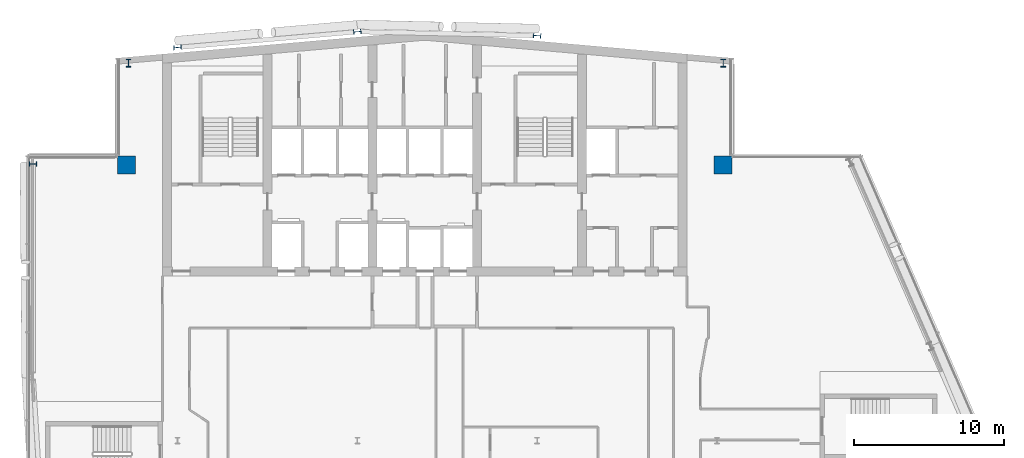
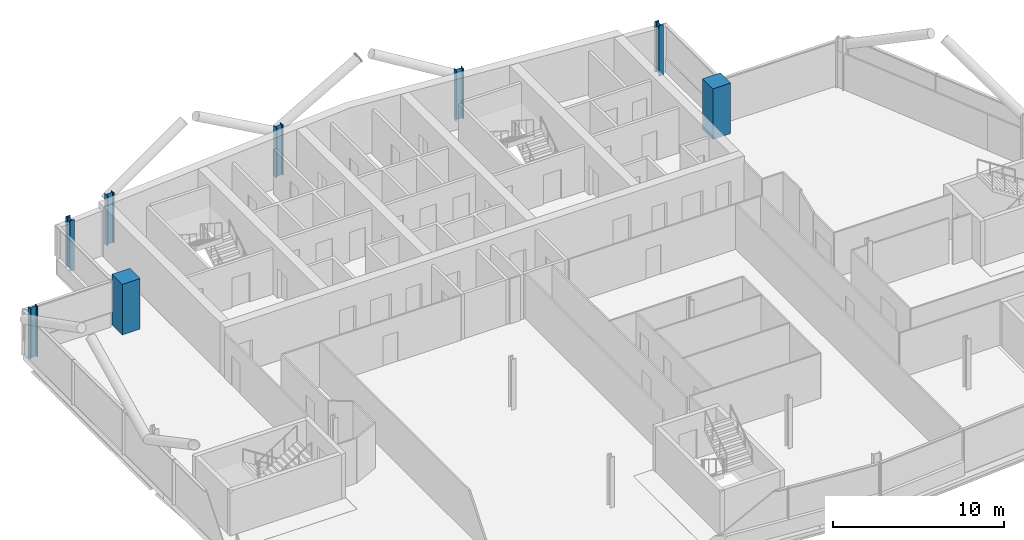
# One storey, part 3 of 25: 8 columns.
"""IFC4 building model written with IfcOpenShell, lengths in metres."""

from ifc_helpers import new_model, si_unit, direction, frame, origin, origin_2d, place, context, subcontext, project, spatial, rectangle, i_section, extrude, material, material_profile, profile_set, type_object, element, save


model = new_model("IFC4")

# Units and contexts
model_context = context("Model", 3, precision=1e-05, world=origin(), true_north=direction((0.0, 1.0)))
body_context = subcontext(model_context, "Body", "Model", "MODEL_VIEW")
ifc_project = project(units=[si_unit("LENGTHUNIT", "METRE"), si_unit("AREAUNIT", "SQUARE_METRE"), si_unit("VOLUMEUNIT", "CUBIC_METRE"), si_unit("PLANEANGLEUNIT", "RADIAN"), si_unit("MASSUNIT", "GRAM", prefix="KILO")], contexts=[model_context])

# Site, building, storey
site_placement = place(None, origin())
site = spatial("IfcSite", under=ifc_project, at=site_placement, CompositionType="ELEMENT")
building_placement = place(site_placement, origin())
building = spatial("IfcBuilding", under=site, at=building_placement, Name="Wharfspan Tower", CompositionType="ELEMENT")
storey_placement = place(building_placement, frame((0.0, 0.0, 239.5)))
storey = spatial("IfcBuildingStorey", under=building, at=storey_placement, Name="L60", CompositionType="ELEMENT", Elevation=239.5)

# Columns
ifc_material_1 = material(Name="Steel S355J2", Category="steel")
ifc_material_profile_1 = material_profile(ifc_material_1, i_section(OverallWidth=0.300049, OverallDepth=0.5, WebThickness=0.014404, FlangeThickness=0.028076, FilletRadius=0.0271, at=origin_2d()))
ifc_profile_set_1 = profile_set([ifc_material_profile_1], Name="Steel S355J2")
column_type_1 = type_object("IfcColumnType", Name="Column HEB 500", PredefinedType="COLUMN", material=ifc_profile_set_1)
for number, where, z_axis, x_axis, name in (
    (1, (24.0, 49.234863, 0.0), (0.0, 0.0, 1.0), (-0.087156, 0.996197, 0.0), "Rear column R.1 L60"),
    (2, (36.0, 50.284668, 0.0), (0.0, 0.0, 1.0), (-0.087156, 0.996197, 0.0), "Rear column R.2 L60"),
    (3, (48.0, 50.022217, 0.0), (0.0, 0.0, 1.0), (0.087156, 0.996197, 0.0), "Rear column R.3 L60"),
):
    element("IfcColumn", number, at=place(storey_placement, frame(where, z_axis=z_axis, x_axis=x_axis)), inside=storey, type_object=column_type_1, Name=name, PredefinedType="COLUMN", context=body_context, shape_type="SweptSolid", body=[
        extrude(i_section(OverallWidth=0.300049, OverallDepth=0.5, WebThickness=0.014404, FlangeThickness=0.028076, FilletRadius=0.0271, at=origin_2d()), origin(), (0.0, 0.0, 1.0), 3.600098),
    ])
ifc_material_profile_2 = material_profile(ifc_material_1, i_section(OverallWidth=0.305908, OverallDepth=0.523926, WebThickness=0.020996, FlangeThickness=0.040039, FilletRadius=0.0271, at=origin_2d()))
ifc_profile_set_2 = profile_set([ifc_material_profile_2], Name="Steel S355J2")
column_type_2 = type_object("IfcColumnType", Name="Column HEM 500", PredefinedType="COLUMN", material=ifc_profile_set_2)
for number, where, z_axis, x_axis, name in (
    (4, (60.422119, 48.189453, 0.0), (0.0, 0.0, 1.0), (1.0, 0.0, 0.0), "Perimeter column PNRE-V.1 L60"),
    (5, (20.731201, 48.189941, 0.0), (0.0, 0.0, 1.0), (-1.0, 0.0, 0.0), "Perimeter column PNRW-V.1 L60"),
    (6, (14.356934, 41.459717, 0.0), (0.0, 0.0, 1.0), (0.0, 1.0, 0.0), "Perimeter column PNRW-H.1 L60"),
):
    element("IfcColumn", number, at=place(storey_placement, frame(where, z_axis=z_axis, x_axis=x_axis)), inside=storey, type_object=column_type_2, Name=name, PredefinedType="COLUMN", context=body_context, shape_type="SweptSolid", body=[
        extrude(i_section(OverallWidth=0.305908, OverallDepth=0.523926, WebThickness=0.020996, FlangeThickness=0.040039, FilletRadius=0.0271, at=origin_2d()), origin(), (0.0, 0.0, 1.0), 3.600098),
    ])
ifc_material_2 = material(Name="Concrete C50/60", Category="concrete")
ifc_material_profile_3 = material_profile(ifc_material_2, rectangle(XDim=1.199951, YDim=1.199951, at=origin_2d()))
ifc_profile_set_3 = profile_set([ifc_material_profile_3], Name="Concrete C50/60")
column_type_3 = type_object("IfcColumnType", Name="Mega column 1200 C50/60", PredefinedType="COLUMN", material=ifc_profile_set_3)
for number, where, z_axis, x_axis, name in (
    (7, (20.600098, 41.399902, 0.0), (0.0, 0.0, 1.0), (1.0, 0.0, 0.0), "Mega column MC2 L60"),
    (8, (60.399902, 41.399902, 0.0), (0.0, 0.0, 1.0), (1.0, 0.0, 0.0), "Mega column MC3 L60"),
):
    element("IfcColumn", number, at=place(storey_placement, frame(where, z_axis=z_axis, x_axis=x_axis)), inside=storey, type_object=column_type_3, Name=name, PredefinedType="COLUMN", context=body_context, shape_type="SweptSolid", body=[
        extrude(rectangle(XDim=1.199951, YDim=1.199951, at=origin_2d()), origin(), (0.0, 0.0, 1.0), 3.600098),
    ])

save(model, "model.ifc")
